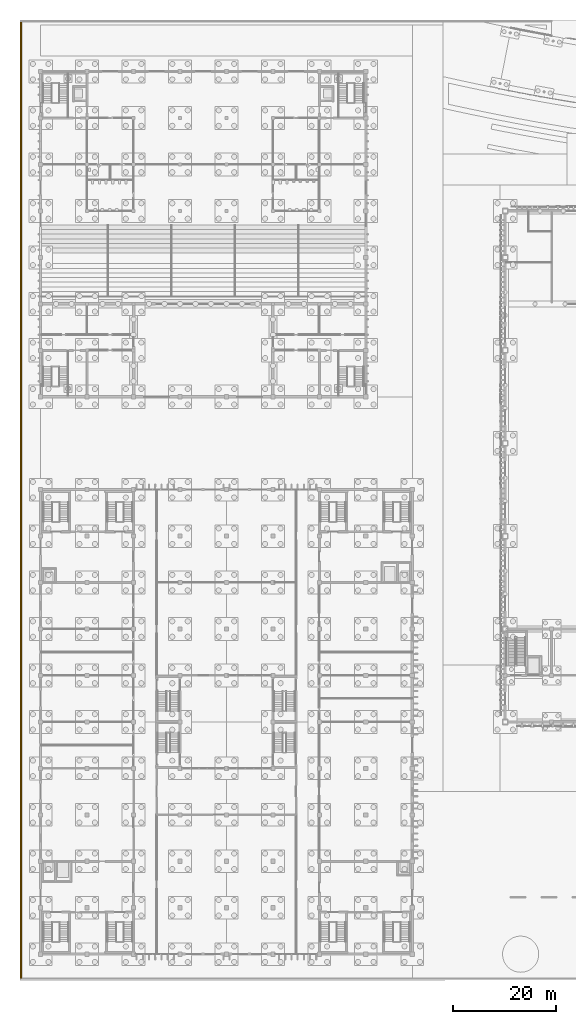
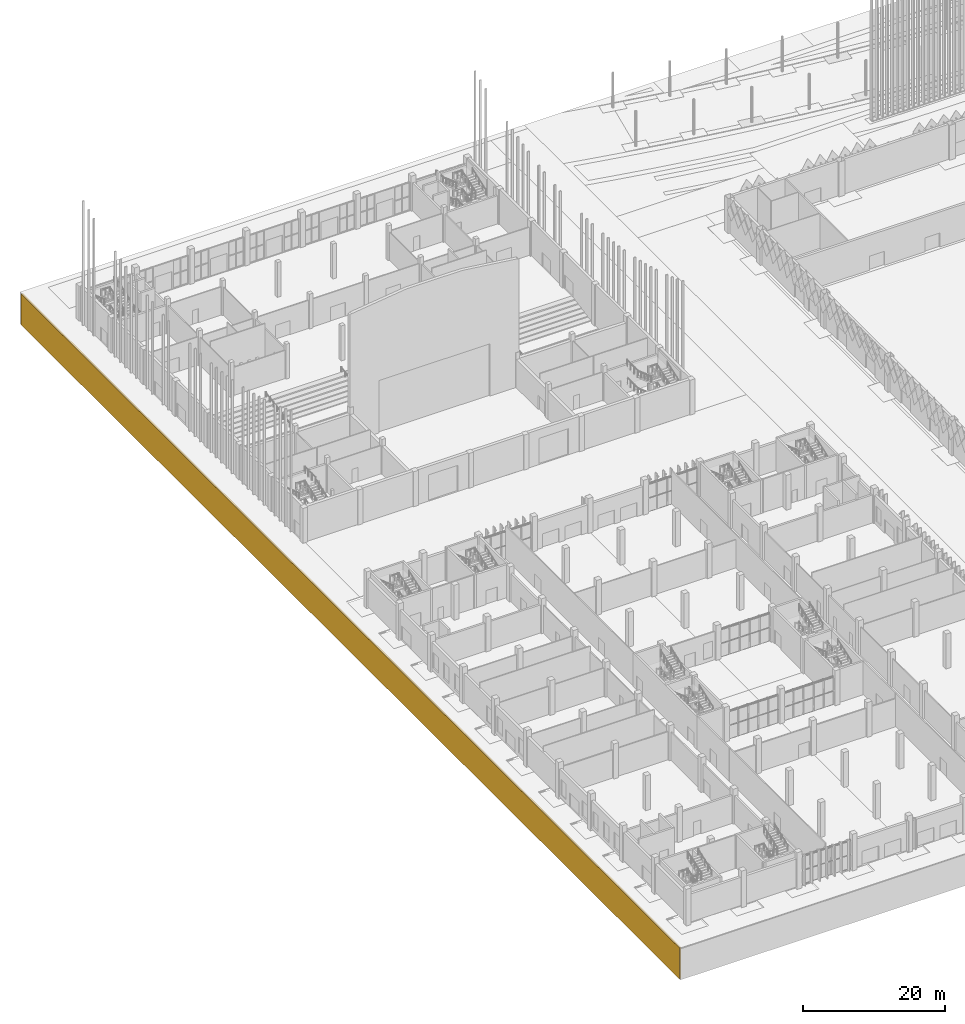
# One storey, part 144 of 198: 1 covering.
"""IFC4 building model written with IfcOpenShell, lengths in metres."""

from ifc_helpers import new_model, si_unit, direction, frame, origin, place, context, subcontext, project, spatial, polyline, outline, extrude, material, layer, layer_set, type_object, element, save


model = new_model("IFC4")

# Units and contexts
model_context = context("Model", 3, precision=1e-05, world=origin(), true_north=direction((0.0, 1.0)))
body_context = subcontext(model_context, "Body", "Model", "MODEL_VIEW")
ifc_project = project(units=[si_unit("LENGTHUNIT", "METRE"), si_unit("AREAUNIT", "SQUARE_METRE"), si_unit("VOLUMEUNIT", "CUBIC_METRE"), si_unit("PLANEANGLEUNIT", "RADIAN"), si_unit("MASSUNIT", "GRAM", prefix="KILO")], contexts=[model_context])

# Site, building, storey
site_placement = place(None, origin())
site = spatial("IfcSite", under=ifc_project, at=site_placement, CompositionType="ELEMENT")
building_placement = place(site_placement, origin())
building = spatial("IfcBuilding", under=site, at=building_placement, Name="Opaline Strait Convention Centre", CompositionType="ELEMENT")
storey_placement = place(building_placement, origin())
storey = spatial("IfcBuildingStorey", under=building, at=storey_placement, Name="L00", CompositionType="ELEMENT", Elevation=0.0)

# Covering
ifc_material = material(Name="Stabilised soil platform edge 300")
ifc_layer = layer(ifc_material, 0.300048828125)
ifc_layer_set = layer_set([ifc_layer], Name="Stabilised soil platform edge 300")
covering_type = type_object("IfcCoveringType", Name="Platform edge facing 300", PredefinedType="CLADDING", material=ifc_layer_set)
covering_placement = place(storey_placement, frame((0.0, 0.0, -5.5)))
element("IfcCovering", 1, at=covering_placement, inside=storey, type_object=covering_type, Name="Platform edge facing", PredefinedType="CLADDING", context=body_context, shape_type="SweptSolid", body=[
    extrude(outline(polyline([(5.0, 4.300048828125), (5.300048828125, 4.300048828125), (5.300048828125, 189.699951171875), (5.0, 189.699951171875), (5.0, 4.300048828125)])), origin(), (0.0, 0.0, 1.0), 5.35009765625),
])

save(model, "model.ifc")
